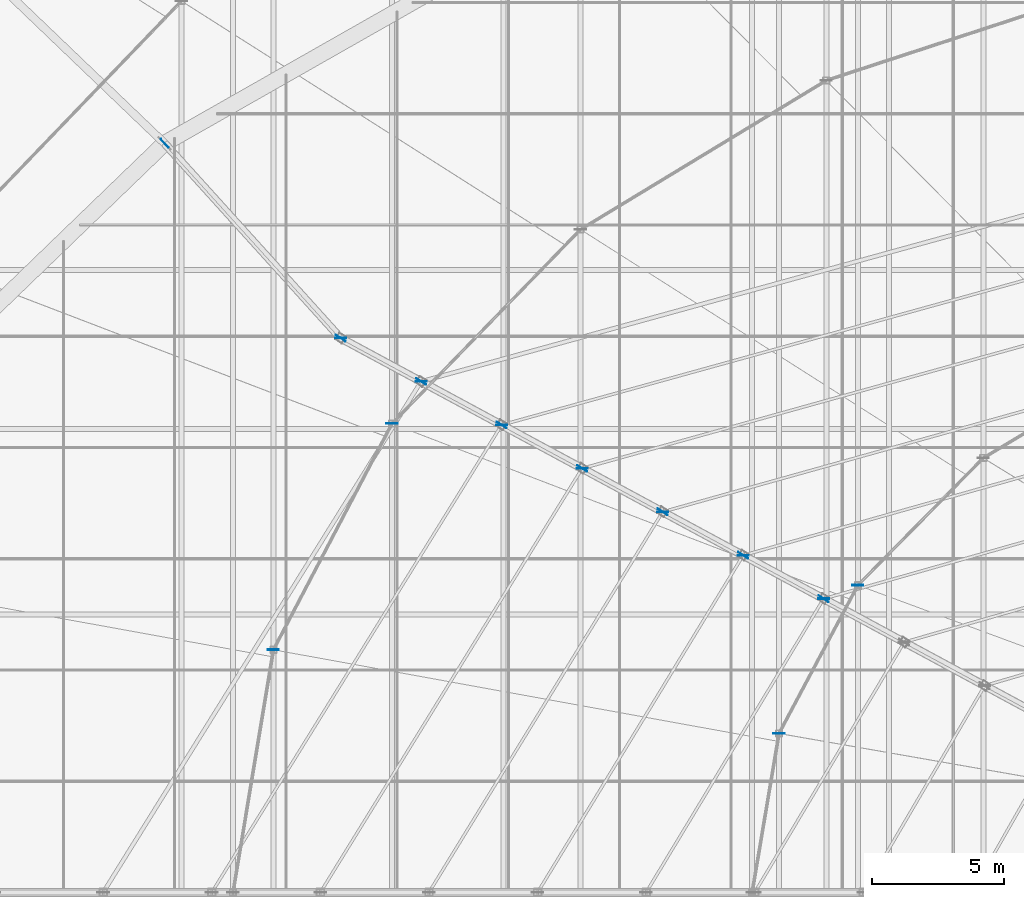
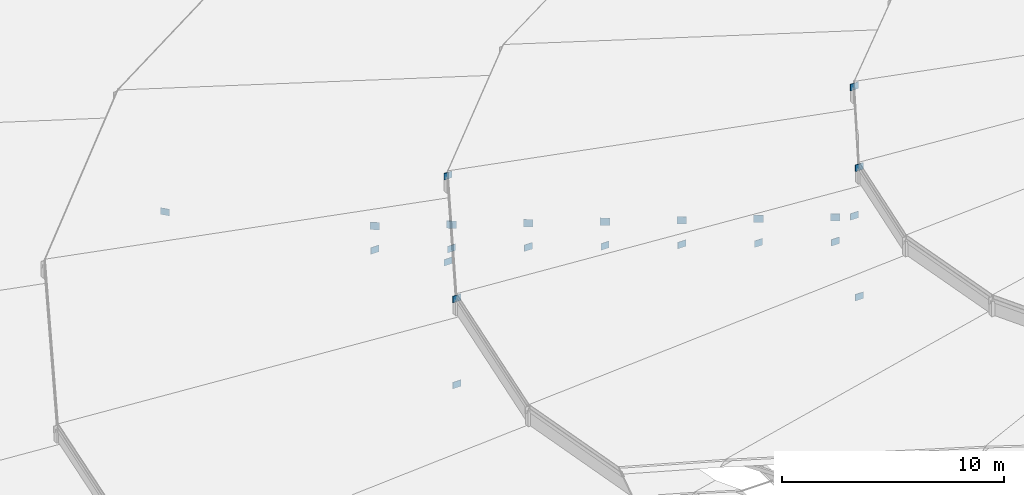
# One storey, part 171 of 184: 23 plates.
"""IFC4 building model written with IfcOpenShell, lengths in metres."""

from ifc_helpers import new_model, si_unit, direction, frame, origin, origin_2d, place, context, subcontext, project, spatial, rectangle, extrude, material, layer, layer_set, type_object, element, save


model = new_model("IFC4")

# Units and contexts
model_context = context("Model", 3, precision=1e-05, world=origin(), true_north=direction((0.0, 1.0)))
body_context = subcontext(model_context, "Body", "Model", "MODEL_VIEW")
ifc_project = project(units=[si_unit("LENGTHUNIT", "METRE"), si_unit("AREAUNIT", "SQUARE_METRE"), si_unit("VOLUMEUNIT", "CUBIC_METRE"), si_unit("PLANEANGLEUNIT", "RADIAN"), si_unit("MASSUNIT", "GRAM", prefix="KILO")], contexts=[model_context])

# Site, building, storey
site_placement = place(None, origin())
site = spatial("IfcSite", under=ifc_project, at=site_placement, CompositionType="ELEMENT")
building_placement = place(site_placement, origin())
building = spatial("IfcBuilding", under=site, at=building_placement, Name="Kalgoora Escarpment Arena", CompositionType="ELEMENT")
storey_placement = place(building_placement, frame((0.0, 0.0, 27.60009765625)))
storey = spatial("IfcBuildingStorey", under=building, at=storey_placement, Name="Roof Level", CompositionType="ELEMENT", Elevation=27.60009765625)

# Plates
ifc_material = material(Name="Structural steel Grade 350 (350 MPa)", Category="steel")
ifc_layer = layer(ifc_material, 0.02490234375)
ifc_layer_set = layer_set([ifc_layer], Name="PLT-GUSSET-25")
plate_type = type_object("IfcPlateType", Name="PLT-GUSSET-25", PredefinedType="USERDEFINED", material=ifc_layer_set)
for number, where, z_axis, x_axis, name in (
    (1, (60.863037109375, 84.930419921875, -0.550048828125), (0.0, 0.0, 1.0), (0.84179353575, -0.539799632428, 0.0), "Radial ROOF TRUSS node gusset plate S4-1"),
    (2, (63.902587890625, 83.289794921875, -0.5400390625), (0.0, 0.0, 1.0), (0.84179353575, -0.539799632428, 0.0), "Radial ROOF TRUSS node gusset plate S4-2"),
    (3, (66.9423828125, 81.6494140625, -0.530029296875), (0.0, 0.0, 1.0), (0.84179353575, -0.539799632428, 0.0), "Radial ROOF TRUSS node gusset plate S4-3"),
    (4, (69.982177734375, 80.0087890625, -0.52001953125), (0.0, 0.0, 1.0), (0.84179353575, -0.539799632428, 0.0), "Radial ROOF TRUSS node gusset plate S4-4"),
    (5, (73.02197265625, 78.368408203125, -0.510009765625), (0.0, 0.0, 1.0), (0.84179353575, -0.539799632428, 0.0), "Radial ROOF TRUSS node gusset plate S4-5"),
    (6, (76.061767578125, 76.727783203125, -0.5), (0.0, 0.0, 1.0), (0.84179353575, -0.539799632428, 0.0), "Radial ROOF TRUSS node gusset plate S4-6"),
    (7, (79.101318359375, 75.08740234375, -0.489990234375), (0.0, 0.0, 1.0), (0.84179353575, -0.539799632428, 0.0), "Radial ROOF TRUSS node gusset plate S4-7"),
):
    element("IfcPlate", number, at=place(storey_placement, frame(where, z_axis=z_axis, x_axis=x_axis)), inside=storey, type_object=plate_type, Name=name, ObjectType="FLANGE PLATE", PredefinedType="USERDEFINED", context=body_context, shape_type="SweptSolid", body=[
        extrude(rectangle(XDim=0.43994140625, YDim=0.02490234375, at=origin_2d()), origin(), (0.0, 0.0, 1.0), 0.39990234375),
    ])
for number, where, z_axis, x_axis, name in (
    (8, (54.21630859375, 92.2841796875, -1.88037109375), (0.0, 0.0, 1.0), (0.670426618959, -0.741975840976, 0.0), "Brace and post end gusset plate 100"),
    (9, (60.863037109375, 84.930419921875, -1.830078125), (0.0, 0.0, 1.0), (1.0, 0.0, 0.0), "Brace and post end gusset plate 101"),
    (10, (63.902587890625, 83.289794921875, -1.8251953125), (0.0, 0.0, 1.0), (1.0, 0.0, 0.0), "Brace and post end gusset plate 102"),
    (11, (66.9423828125, 81.6494140625, -1.8203125), (0.0, 0.0, 1.0), (1.0, 0.0, 0.0), "Brace and post end gusset plate 103"),
    (12, (69.982177734375, 80.0087890625, -1.81494140625), (0.0, 0.0, 1.0), (1.0, 0.0, 0.0), "Brace and post end gusset plate 104"),
    (13, (73.02197265625, 78.368408203125, -1.81005859375), (0.0, 0.0, 1.0), (1.0, 0.0, 0.0), "Brace and post end gusset plate 105"),
    (14, (76.061767578125, 76.727783203125, -1.80517578125), (0.0, 0.0, 1.0), (1.0, 0.0, 0.0), "Brace and post end gusset plate 106"),
    (15, (79.101318359375, 75.08740234375, -1.80029296875), (0.0, 0.0, 1.0), (1.0, 0.0, 0.0), "Brace and post end gusset plate 107"),
    (16, (62.802001953125, 81.699951171875, -1.2001953125), (0.0, 0.0, 1.0), (1.0, 0.0, 0.0), "Brace and post end gusset plate 246"),
    (17, (62.802001953125, 81.699951171875, 3.52490234375), (0.0, 0.0, 1.0), (1.0, 0.0, 0.0), "Brace and post end gusset plate 247"),
    (18, (58.326416015625, 73.162109375, -1.2001953125), (0.0, 0.0, 1.0), (1.0, 0.0, 0.0), "Brace and post end gusset plate 248"),
    (19, (58.326416015625, 73.162109375, 3.52490234375), (0.0, 0.0, 1.0), (1.0, 0.0, 0.0), "Brace and post end gusset plate 249"),
    (20, (80.392333984375, 75.60009765625, -1.14013671875), (0.0, 0.0, 1.0), (1.0, 0.0, 0.0), "Brace and post end gusset plate 294"),
    (21, (80.392333984375, 75.60009765625, 5.96484375), (0.0, 0.0, 1.0), (1.0, 0.0, 0.0), "Brace and post end gusset plate 295"),
    (22, (77.415283203125, 70.004638671875, -1.14013671875), (0.0, 0.0, 1.0), (1.0, 0.0, 0.0), "Brace and post end gusset plate 296"),
    (23, (77.415283203125, 70.004638671875, 5.96484375), (0.0, 0.0, 1.0), (1.0, 0.0, 0.0), "Brace and post end gusset plate 297"),
):
    element("IfcPlate", number, at=place(storey_placement, frame(where, z_axis=z_axis, x_axis=x_axis)), inside=storey, type_object=plate_type, Name=name, ObjectType="FLANGE PLATE", PredefinedType="USERDEFINED", context=body_context, shape_type="SweptSolid", body=[
        extrude(rectangle(XDim=0.419921875, YDim=0.02490234375, at=origin_2d()), origin(), (0.0, 0.0, 1.0), 0.360107421875),
    ])

save(model, "model.ifc")
